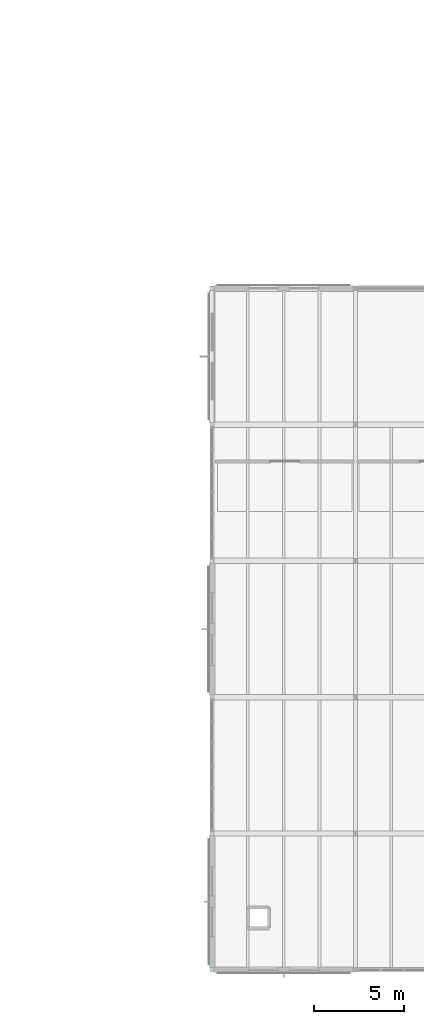
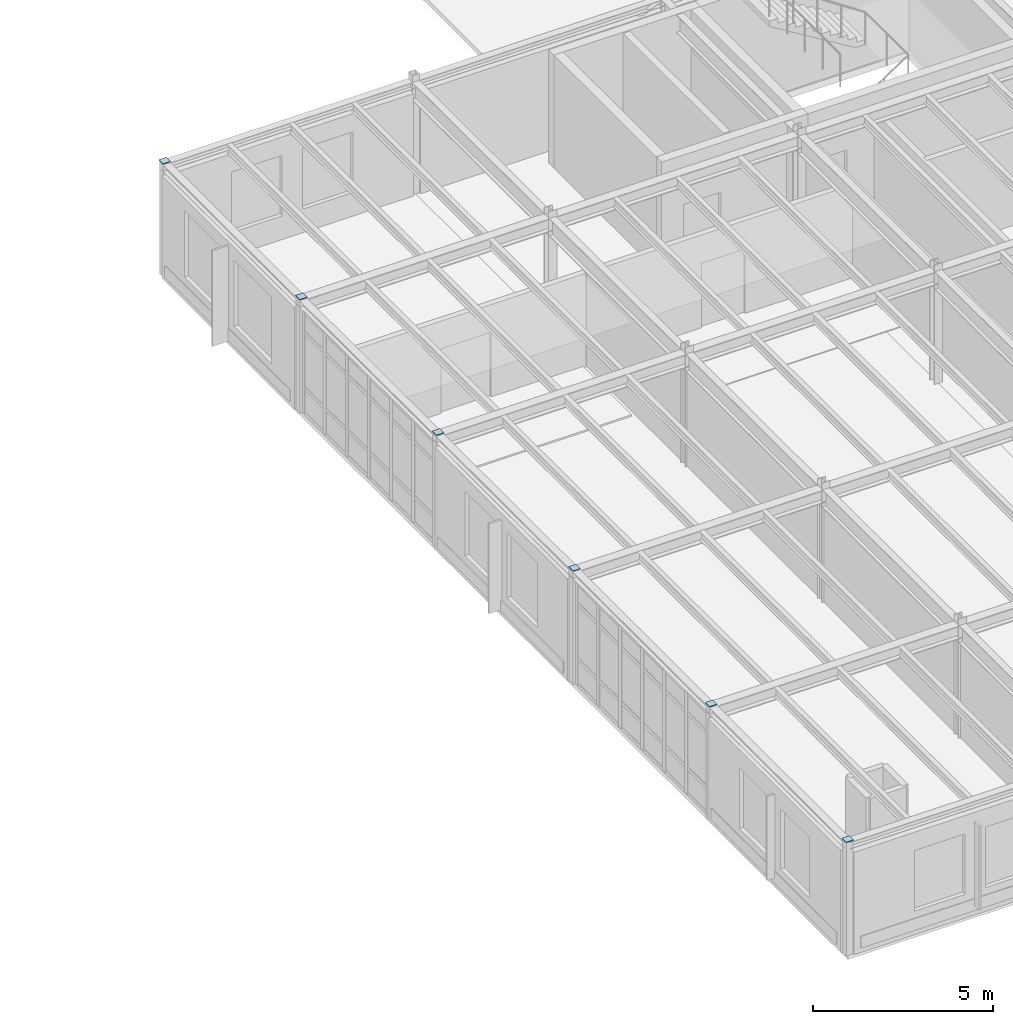
# One storey, part 83 of 114: 6 plates.
"""IFC4 building model written with IfcOpenShell, lengths in metres."""

from ifc_helpers import new_model, si_unit, direction, frame, origin, origin_2d, place, context, subcontext, project, spatial, rectangle, extrude, material, layer, layer_set, type_object, element, save


model = new_model("IFC4")

# Units and contexts
model_context = context("Model", 3, precision=1e-05, world=origin(), true_north=direction((0.0, 1.0)))
body_context = subcontext(model_context, "Body", "Model", "MODEL_VIEW")
ifc_project = project(units=[si_unit("LENGTHUNIT", "METRE"), si_unit("AREAUNIT", "SQUARE_METRE"), si_unit("VOLUMEUNIT", "CUBIC_METRE"), si_unit("PLANEANGLEUNIT", "RADIAN"), si_unit("MASSUNIT", "GRAM", prefix="KILO")], contexts=[model_context])

# Site, building, storey
site_placement = place(None, origin())
site = spatial("IfcSite", under=ifc_project, at=site_placement, CompositionType="ELEMENT")
building_placement = place(site_placement, origin())
building = spatial("IfcBuilding", under=site, at=building_placement, Name="Montecoro Central Library", CompositionType="ELEMENT")
storey_placement = place(building_placement, frame((0.0, 0.0, 13.260009765625)))
storey = spatial("IfcBuildingStorey", under=building, at=storey_placement, Name="L03", CompositionType="ELEMENT", Elevation=13.260009765625)

# Plates
ifc_material = material(Name="Steel S355", Category="steel")
ifc_layer = layer(ifc_material, 0.01611328125)
ifc_layer_set = layer_set([ifc_layer], Name="Steel S355")
plate_type = type_object("IfcPlateType", Name="PLT-CAP-16", PredefinedType="SHEET", material=ifc_layer_set)
for number, where, z_axis, x_axis, name in (
    (1, (141.0, 5.0, 3.85498046875), (0.0, 0.0, 1.0), (1.0, 0.0, 0.0), "V6-L03-CAPPL-18-A"),
    (2, (141.0, 12.60009765625, 3.85498046875), (0.0, 0.0, 1.0), (1.0, 0.0, 0.0), "V6-L03-CAPPL-18-B"),
    (3, (141.0, 20.199951171875, 3.85498046875), (0.0, 0.0, 1.0), (1.0, 0.0, 0.0), "V6-L03-CAPPL-18-C"),
    (4, (141.0, 27.800048828125, 3.85498046875), (0.0, 0.0, 1.0), (1.0, 0.0, 0.0), "V6-L03-CAPPL-18-D"),
    (5, (141.0, 35.39990234375, 3.85498046875), (0.0, 0.0, 1.0), (1.0, 0.0, 0.0), "V6-L03-CAPPL-18-E"),
    (6, (141.0, 43.0, 3.85498046875), (0.0, 0.0, 1.0), (1.0, 0.0, 0.0), "V6-L03-CAPPL-18-F"),
):
    element("IfcPlate", number, at=place(storey_placement, frame(where, z_axis=z_axis, x_axis=x_axis)), inside=storey, type_object=plate_type, Name=name, PredefinedType="SHEET", context=body_context, shape_type="SweptSolid", body=[
        extrude(rectangle(XDim=0.239990234375, YDim=0.239990234375, at=origin_2d()), origin(), (0.0, 0.0, 1.0), 0.01611328125),
    ])

save(model, "model.ifc")
